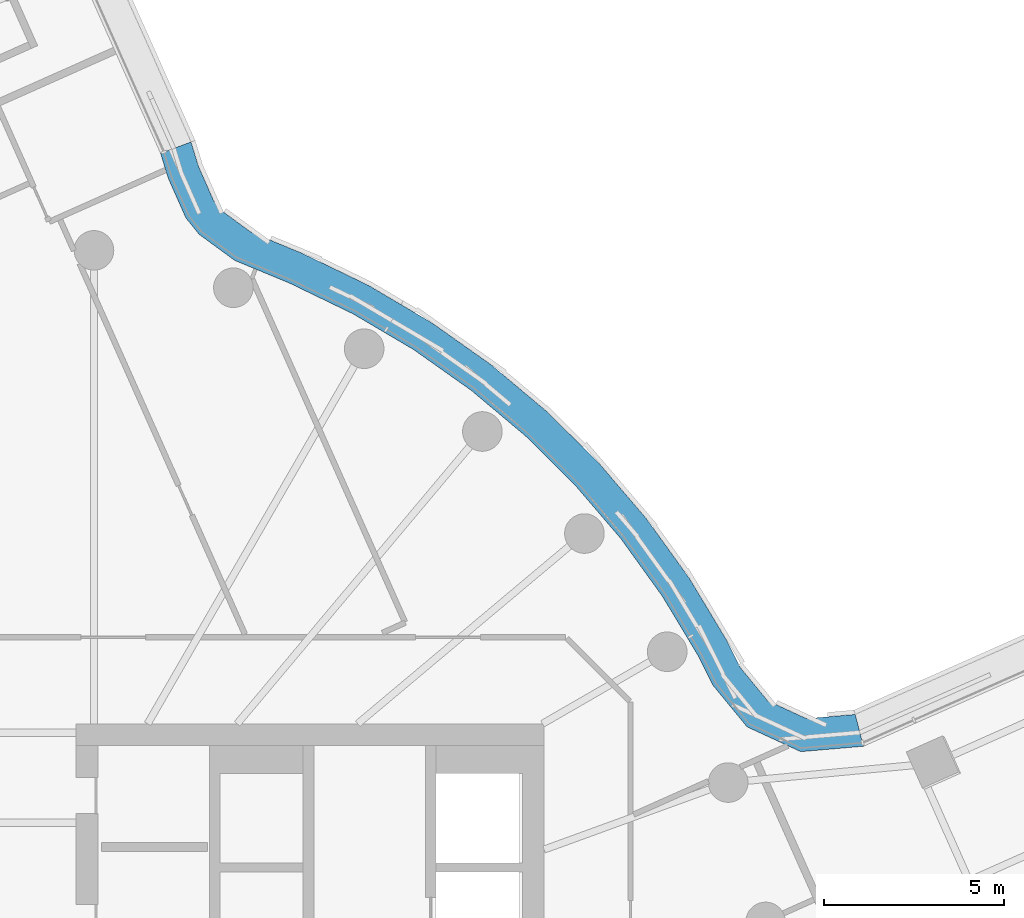
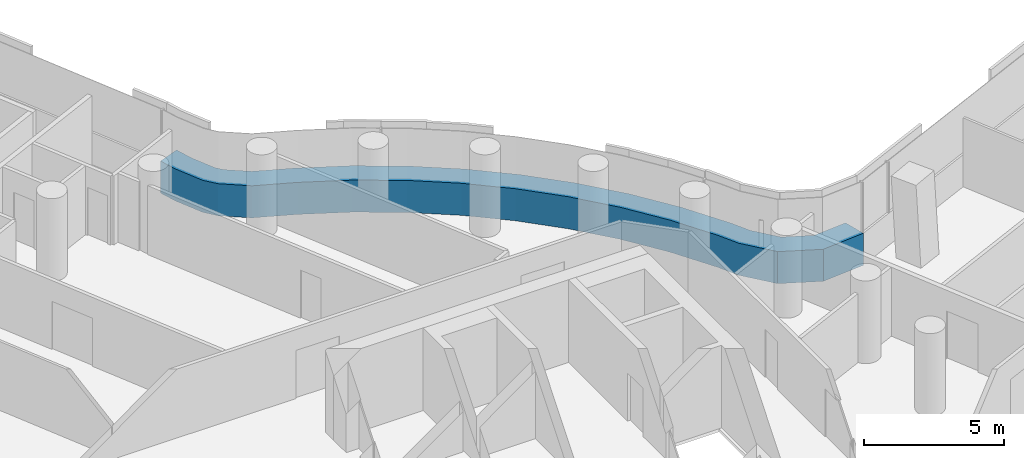
# One storey, part 16 of 35: 1 member, 1 element without a shape of its own.
"""IFC4 building model written with IfcOpenShell, lengths in metres."""

from ifc_helpers import new_model, si_unit, direction, frame, origin, place, context, subcontext, project, spatial, polyline, outline, extrude, material, layer, layer_set, type_object, element, aggregate, save


model = new_model("IFC4")

# Units and contexts
model_context = context("Model", 3, precision=1e-05, world=origin(), true_north=direction((0.0, 1.0)))
body_context = subcontext(model_context, "Body", "Model", "MODEL_VIEW")
ifc_project = project(units=[si_unit("LENGTHUNIT", "METRE"), si_unit("AREAUNIT", "SQUARE_METRE"), si_unit("VOLUMEUNIT", "CUBIC_METRE"), si_unit("PLANEANGLEUNIT", "RADIAN"), si_unit("MASSUNIT", "GRAM", prefix="KILO")], contexts=[model_context])

# Site, building, storey
site_placement = place(None, origin())
site = spatial("IfcSite", under=ifc_project, at=site_placement, CompositionType="ELEMENT")
building_placement = place(site_placement, origin())
building = spatial("IfcBuilding", under=site, at=building_placement, Name="Tamarind Cross Interchange Tower", CompositionType="ELEMENT")
storey_placement = place(building_placement, frame((0.0, 0.0, 121.0)))
storey = spatial("IfcBuildingStorey", under=building, at=storey_placement, Name="L29", CompositionType="ELEMENT", Elevation=121.0)

# Curtain wall, member
ifc_material_1 = material(Name="Aluminium 6063-T6", Category="aluminium")
ifc_layer = layer(ifc_material_1, 0.159912109375)
ifc_layer_set = layer_set([ifc_layer], Name="Aluminium 6063-T6")
curtain_wall_type = type_object("IfcCurtainWallType", Name="Office curtain wall, 9.0 m bays", PredefinedType="NOTDEFINED", material=ifc_layer_set)
curtain_wall_placement = place(storey_placement, origin())
curtain_wall = element("IfcCurtainWall", 1, at=curtain_wall_placement, inside=storey, type_object=curtain_wall_type, Name="CWS-L29-10", PredefinedType="NOTDEFINED")
ifc_material_2 = material(Name="Aluminium and insulated spandrel panel", Category="aluminium")
member_type = type_object("IfcMemberType", Name="Floor-edge blade transom", PredefinedType="USERDEFINED", material=ifc_material_2)
member_placement = place(storey_placement, origin())
member = element("IfcMember", 2, at=member_placement, type_object=member_type, Name="CWT-L29-10", ObjectType="TRANSOM", PredefinedType="USERDEFINED", context=body_context, shape_type="SweptSolid", body=[
    extrude(outline(polyline([(25.369873046875, 8.8740234375), (23.626708984375, 8.724365234375), (22.138427734375, 9.412109375), (21.1943359375, 10.5625), (20.79150390625, 11.36669921875), (19.78125, 13.045654296875), (18.636474609375, 14.634521484375), (17.3642578125, 16.12353515625), (15.973388671875, 17.50244140625), (14.4736328125, 18.76171875), (12.874755859375, 19.892822265625), (11.188232421875, 20.88818359375), (9.421630859375, 21.7421875), (7.90380859375, 22.37109375), (6.913818359375, 23.096435546875), (6.547119140625, 23.5517578125), (6.056396484375, 24.65673828125), (5.843994140625, 25.34619140625), (6.68798828125, 25.6630859375), (6.900634765625, 24.97314453125), (7.32177734375, 24.024658203125), (7.540771484375, 23.7529296875), (8.348388671875, 23.1611328125), (9.7900390625, 22.563720703125), (11.613525390625, 21.68212890625), (13.3642578125, 20.64892578125), (15.023681640625, 19.474853515625), (16.580810546875, 18.167724609375), (18.0244140625, 16.736572265625), (19.344970703125, 15.19091796875), (20.533203125, 13.54150390625), (21.58056640625, 11.801025390625), (21.953857421875, 11.0556640625), (22.703125, 10.142578125), (23.78759765625, 9.641357421875), (25.142822265625, 9.7578125), (25.369873046875, 8.8740234375)])), origin(), (0.0, 0.0, 1.0), 1.39990234375),
])
aggregate(curtain_wall, [member])

save(model, "model.ifc")
